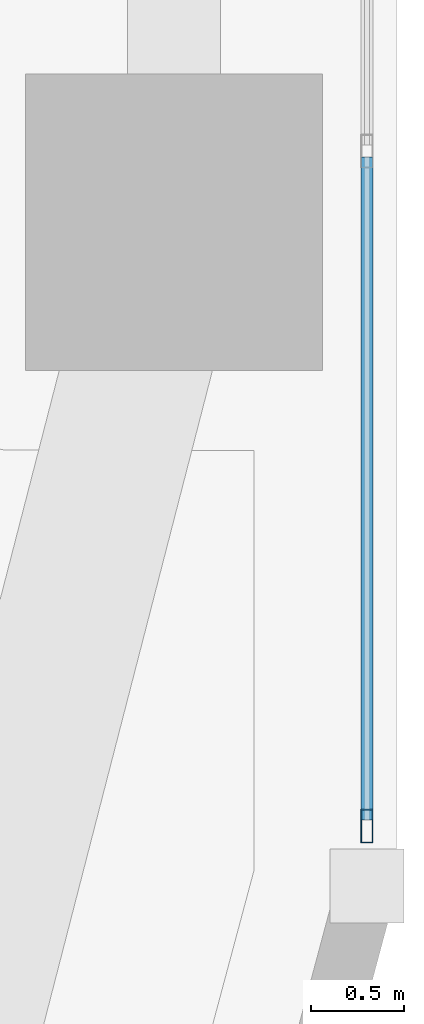
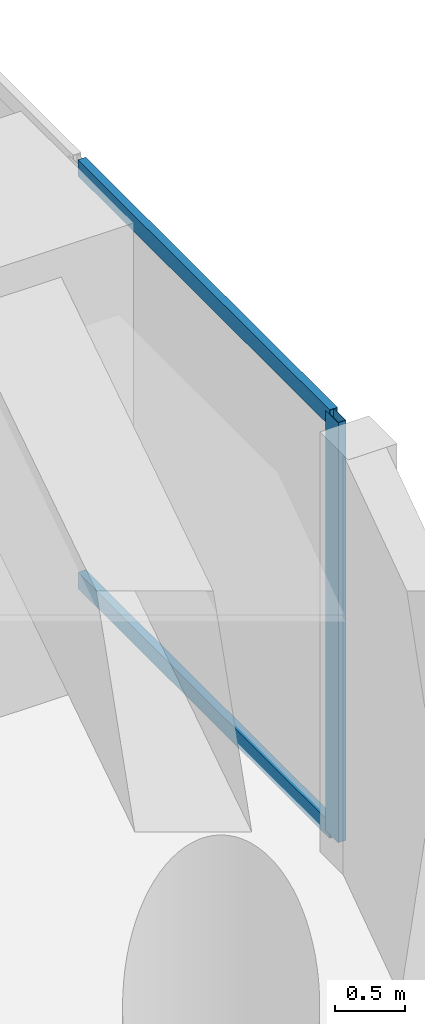
# One storey, part 4 of 29: 3 members, 1 element without a shape of its own.
"""IFC4 building model written with IfcOpenShell, lengths in metres."""

from ifc_helpers import new_model, si_unit, direction, frame, origin, origin_2d, place, context, subcontext, project, spatial, hollow_rectangle, extrude, material, layer, layer_set, material_profile, profile_set, type_object, element, aggregate, save


model = new_model("IFC4")

# Units and contexts
model_context = context("Model", 3, precision=1e-05, world=origin(), true_north=direction((0.0, 1.0)))
body_context = subcontext(model_context, "Body", "Model", "MODEL_VIEW")
ifc_project = project(units=[si_unit("LENGTHUNIT", "METRE"), si_unit("AREAUNIT", "SQUARE_METRE"), si_unit("VOLUMEUNIT", "CUBIC_METRE"), si_unit("PLANEANGLEUNIT", "RADIAN"), si_unit("MASSUNIT", "GRAM", prefix="KILO")], contexts=[model_context])

# Site, building, storey
site_placement = place(None, origin())
site = spatial("IfcSite", under=ifc_project, at=site_placement, CompositionType="ELEMENT")
building_placement = place(site_placement, origin())
building = spatial("IfcBuilding", under=site, at=building_placement, Name="Kiyonajd Concourse Tower", CompositionType="ELEMENT")
storey_placement = place(building_placement, frame((0.0, 0.0, 25.5)))
storey = spatial("IfcBuildingStorey", under=building, at=storey_placement, Name="L07", CompositionType="ELEMENT", Elevation=25.5)

# Curtain wall, members
ifc_material = material(Name="Thermally Broken Anodised Aluminium", Category="aluminium")
ifc_layer = layer(ifc_material, 0.179931640625)
ifc_layer_set = layer_set([ifc_layer], Name="Thermally Broken Anodised Aluminium")
curtain_wall_type = type_object("IfcCurtainWallType", Name="CW-SYS-02", PredefinedType="NOTDEFINED", material=ifc_layer_set)
curtain_wall_placement = place(storey_placement, origin())
curtain_wall = element("IfcCurtainWall", 1, at=curtain_wall_placement, inside=storey, type_object=curtain_wall_type, Name="L07 Unitised Curtain Wall CW2", PredefinedType="NOTDEFINED")
ifc_material_profile_1 = material_profile(ifc_material, hollow_rectangle(XDim=0.06494140625, YDim=0.179931640625, WallThickness=0.00390625, at=origin_2d()), Name="MULL-65x180")
ifc_profile_set_1 = profile_set([ifc_material_profile_1], Name="Thermally Broken Anodised Aluminium")
member_type_1 = type_object("IfcMemberType", Name="MB-CW-MULL1", PredefinedType="MULLION", material=ifc_profile_set_1)
member_1_placement = place(storey_placement, frame((79.0400390625, 15.343505859375, 0.0), z_axis=(0.0, 0.0, 1.0), x_axis=(1.0, 0.0, 0.0)))
member_1 = element("IfcMember", 2, at=member_1_placement, type_object=member_type_1, Name="CW2 mullion 7", PredefinedType="MULLION", context=body_context, shape_type="SweptSolid", body=[
    extrude(hollow_rectangle(XDim=0.06494140625, YDim=0.179931640625, WallThickness=0.00390625, at=origin_2d()), origin(), (0.0, 0.0, 1.0), 3.639892578125),
])
ifc_material_profile_2 = material_profile(ifc_material, hollow_rectangle(XDim=0.06494140625, YDim=0.139892578125, WallThickness=0.00390625, at=origin_2d()), Name="TRAN-65x140")
ifc_profile_set_2 = profile_set([ifc_material_profile_2], Name="Thermally Broken Anodised Aluminium")
member_type_2 = type_object("IfcMemberType", Name="MB-CW-TRAN1", PredefinedType="USERDEFINED", material=ifc_profile_set_2)
member_2_placement = place(storey_placement, frame((79.0400390625, 18.95166015625, 0.032470703125), z_axis=(0.0, -1.0, 0.0), x_axis=(1.0, 0.0, 0.0)))
member_2 = element("IfcMember", 3, at=member_2_placement, type_object=member_type_2, Name="CW2 transom 6.1", ObjectType="TRANSOM", PredefinedType="USERDEFINED", context=body_context, shape_type="SweptSolid", body=[
    extrude(hollow_rectangle(XDim=0.06494140625, YDim=0.139892578125, WallThickness=0.00390625, at=origin_2d()), origin(), (0.0, 0.0, 1.0), 3.575439453125),
])
member_3_placement = place(storey_placement, frame((79.0400390625, 18.95166015625, 3.607421875), z_axis=(0.0, -1.0, 0.0), x_axis=(1.0, 0.0, 0.0)))
member_3 = element("IfcMember", 4, at=member_3_placement, type_object=member_type_2, Name="CW2 transom 6.2", ObjectType="TRANSOM", PredefinedType="USERDEFINED", context=body_context, shape_type="SweptSolid", body=[
    extrude(hollow_rectangle(XDim=0.06494140625, YDim=0.139892578125, WallThickness=0.00390625, at=origin_2d()), origin(), (0.0, 0.0, 1.0), 3.575439453125),
])
aggregate(curtain_wall, [member_1, member_2, member_3])

save(model, "model.ifc")
